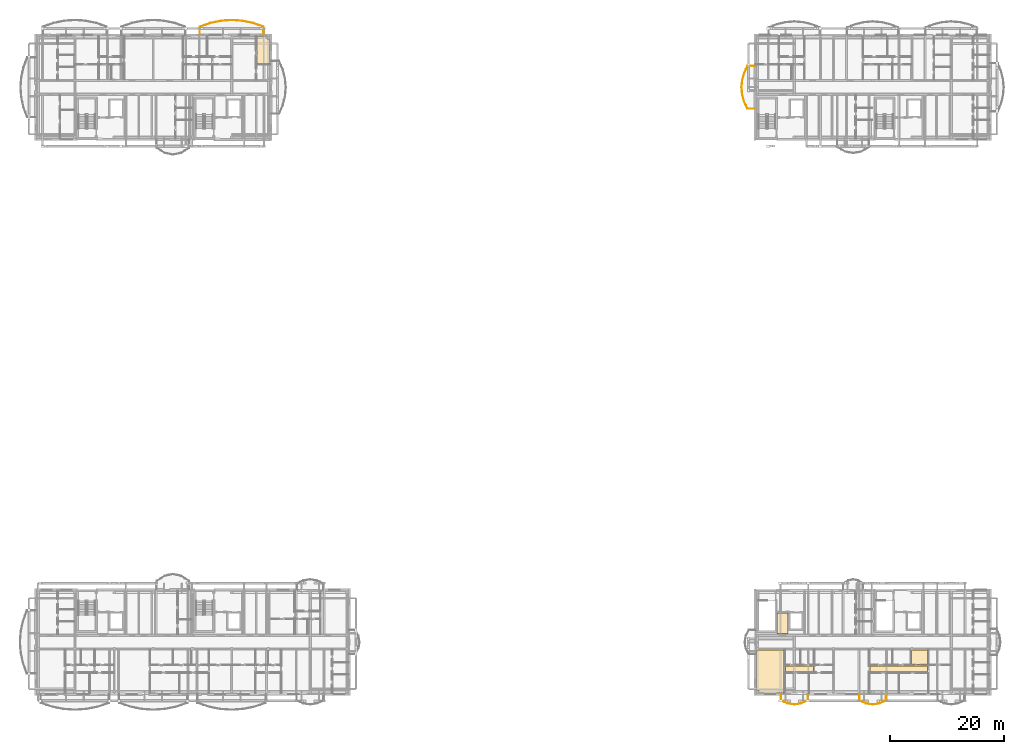
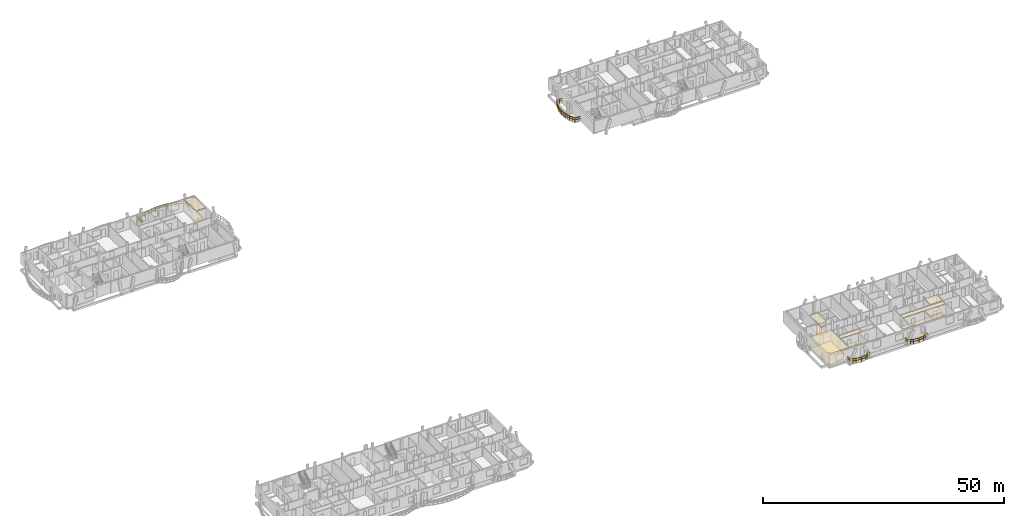
# One storey, part 38 of 41: 12 coverings, 4 railings.
"""IFC4 building model written with IfcOpenShell, lengths in metres."""

from ifc_helpers import new_model, si_unit, direction, frame, origin, origin_2d, place, context, subcontext, project, spatial, polyline, rectangle, outline, extrude, material, layer, layer_set, type_object, element, save


model = new_model("IFC4")

# Units and contexts
model_context = context("Model", 3, precision=1e-05, world=origin(), true_north=direction((0.0, 1.0)))
body_context = subcontext(model_context, "Body", "Model", "MODEL_VIEW")
ifc_project = project(units=[si_unit("LENGTHUNIT", "METRE"), si_unit("AREAUNIT", "SQUARE_METRE"), si_unit("VOLUMEUNIT", "CUBIC_METRE"), si_unit("PLANEANGLEUNIT", "RADIAN"), si_unit("MASSUNIT", "GRAM", prefix="KILO")], contexts=[model_context])

# Site, building, storey
site_placement = place(None, origin())
site = spatial("IfcSite", under=ifc_project, at=site_placement, CompositionType="ELEMENT")
building_placement = place(site_placement, origin())
building = spatial("IfcBuilding", under=site, at=building_placement, Name="Zavelmont Quarter", CompositionType="ELEMENT")
storey_placement = place(building_placement, frame((0.0, 0.0, 27.199951171875)))
storey = spatial("IfcBuildingStorey", under=building, at=storey_placement, Name="L08", CompositionType="ELEMENT", Elevation=27.199951171875)

# Coverings
ifc_material_1 = material(Name="Perforated acoustic gypsum board")
ifc_layer_1 = layer(ifc_material_1, 0.02490234375)
ifc_layer_set_1 = layer_set([ifc_layer_1], Name="Perforated acoustic gypsum board")
covering_type_1 = type_object("IfcCoveringType", Name="CV-CL01", PredefinedType="CEILING", material=ifc_layer_set_1)
covering_1_placement = place(storey_placement, frame((0.0, 0.0, 2.885009765625)))
element("IfcCovering", 1, at=covering_1_placement, inside=storey, type_object=covering_type_1, Name="L08 Lobby Vestibule acoustic ceiling", PredefinedType="CEILING", context=body_context, shape_type="SweptSolid", body=[
    extrude(outline(polyline([(130.47998046875, 14.320068359375), (132.3701171875, 14.320068359375), (132.3701171875, 10.679931640625), (130.47998046875, 10.679931640625), (130.47998046875, 14.320068359375)])), origin(), (0.0, 0.0, 1.0), 0.025146484375),
])
covering_2_placement = place(storey_placement, frame((0.0, 0.0, 2.93505859375)))
element("IfcCovering", 2, at=covering_2_placement, inside=storey, type_object=covering_type_1, Name="L08 Reading Alcove acoustic ceiling", PredefinedType="CEILING", context=body_context, shape_type="SweptSolid", body=[
    extrude(outline(polyline([(38.929931640625, 115.719970703125), (40.719970703125, 115.719970703125), (40.719970703125, 115.320068359375), (41.169921875, 115.320068359375), (41.169921875, 110.929931640625), (38.929931640625, 110.929931640625), (38.929931640625, 115.719970703125)])), origin(), (0.0, 0.0, 1.0), 0.02490234375),
])
covering_3_placement = place(storey_placement, frame((0.0, 0.0, 2.885009765625)))
element("IfcCovering", 3, at=covering_3_placement, inside=storey, type_object=covering_type_1, Name="L08 Living Dining acoustic ceiling", PredefinedType="CEILING", context=body_context, shape_type="SweptSolid", body=[
    extrude(outline(polyline([(126.830078125, 7.760009765625), (127.280029296875, 7.760009765625), (127.280029296875, 7.77001953125), (131.669921875, 7.77001953125), (131.669921875, 0.280029296875), (127.280029296875, 0.280029296875), (127.280029296875, 0.679931640625), (126.830078125, 0.679931640625), (126.830078125, 7.760009765625)])), origin(), (0.0, 0.0, 1.0), 0.025146484375),
])
covering_4_placement = place(storey_placement, frame((0.0, 0.0, 2.885009765625)))
element("IfcCovering", 4, at=covering_4_placement, inside=storey, type_object=covering_type_1, Name="L08 Utility Laundry acoustic ceiling", PredefinedType="CEILING", context=body_context, shape_type="SweptSolid", body=[
    extrude(outline(polyline([(154.1298828125, 7.760009765625), (154.43994140625, 7.760009765625), (154.43994140625, 7.77001953125), (156.969970703125, 7.77001953125), (156.969970703125, 5.280029296875), (154.1298828125, 5.280029296875), (154.1298828125, 7.760009765625)])), origin(), (0.0, 0.0, 1.0), 0.025146484375),
])
ifc_material_2 = material(Name="Slatted European ash acoustic baffle ceiling")
ifc_layer_2 = layer(ifc_material_2, 0.0400390625)
ifc_layer_set_2 = layer_set([ifc_layer_2], Name="Slatted European ash acoustic baffle ceiling")
covering_type_2 = type_object("IfcCoveringType", Name="CV-CL02", PredefinedType="CEILING", material=ifc_layer_set_2)
covering_5_placement = place(storey_placement, frame((0.0, 0.0, 2.8701171875)))
element("IfcCovering", 5, at=covering_5_placement, inside=storey, type_object=covering_type_2, Name="L08 Apartment Hall acoustic ceiling", PredefinedType="CEILING", context=body_context, shape_type="SweptSolid", body=[
    extrude(outline(polyline([(131.929931640625, 5.02001953125), (136.8701171875, 5.02001953125), (136.8701171875, 3.929931640625), (131.929931640625, 3.929931640625), (131.929931640625, 5.02001953125)])), origin(), (0.0, 0.0, 1.0), 0.0400390625),
])
covering_6_placement = place(storey_placement, frame((0.0, 0.0, 2.8701171875)))
element("IfcCovering", 6, at=covering_6_placement, inside=storey, type_object=covering_type_2, Name="L08 Apartment Hall acoustic ceiling", PredefinedType="CEILING", context=body_context, shape_type="SweptSolid", body=[
    extrude(outline(polyline([(146.830078125, 5.02001953125), (156.969970703125, 5.02001953125), (156.969970703125, 3.929931640625), (146.830078125, 3.929931640625), (146.830078125, 5.02001953125)])), origin(), (0.0, 0.0, 1.0), 0.0400390625),
])
ifc_material_3 = material(Name="Engineered European oak parquet")
ifc_layer_3 = layer(ifc_material_3, 0.02197265625)
ifc_layer_set_3 = layer_set([ifc_layer_3], Name="Engineered European oak parquet")
covering_type_3 = type_object("IfcCoveringType", Name="CV-FL01", PredefinedType="FLOORING", material=ifc_layer_set_3)
covering_7_placement = place(storey_placement, origin())
element("IfcCovering", 7, at=covering_7_placement, inside=storey, type_object=covering_type_3, Name="L08 Lobby Vestibule floor finish", PredefinedType="FLOORING", context=body_context, shape_type="SweptSolid", body=[
    extrude(outline(polyline([(130.47998046875, 14.320068359375), (132.3701171875, 14.320068359375), (132.3701171875, 10.679931640625), (130.47998046875, 10.679931640625), (130.47998046875, 14.320068359375)])), origin(), (0.0, 0.0, 1.0), 0.02197265625),
])
covering_8_placement = place(storey_placement, origin())
element("IfcCovering", 8, at=covering_8_placement, inside=storey, type_object=covering_type_3, Name="L08 Reading Alcove floor finish", PredefinedType="FLOORING", context=body_context, shape_type="SweptSolid", body=[
    extrude(outline(polyline([(38.929931640625, 115.719970703125), (40.719970703125, 115.719970703125), (40.719970703125, 115.320068359375), (41.169921875, 115.320068359375), (41.169921875, 110.929931640625), (38.929931640625, 110.929931640625), (38.929931640625, 115.719970703125)])), origin(), (0.0, 0.0, 1.0), 0.02197265625),
])
covering_9_placement = place(storey_placement, origin())
element("IfcCovering", 9, at=covering_9_placement, inside=storey, type_object=covering_type_3, Name="L08 Living Dining floor finish", PredefinedType="FLOORING", context=body_context, shape_type="SweptSolid", body=[
    extrude(outline(polyline([(126.830078125, 7.760009765625), (127.280029296875, 7.760009765625), (127.280029296875, 7.77001953125), (131.669921875, 7.77001953125), (131.669921875, 0.280029296875), (127.280029296875, 0.280029296875), (127.280029296875, 0.679931640625), (126.830078125, 0.679931640625), (126.830078125, 7.760009765625)])), origin(), (0.0, 0.0, 1.0), 0.02197265625),
])
covering_10_placement = place(storey_placement, origin())
element("IfcCovering", 10, at=covering_10_placement, inside=storey, type_object=covering_type_3, Name="L08 Utility Laundry floor finish", PredefinedType="FLOORING", context=body_context, shape_type="SweptSolid", body=[
    extrude(outline(polyline([(154.1298828125, 7.760009765625), (154.43994140625, 7.760009765625), (154.43994140625, 7.77001953125), (156.969970703125, 7.77001953125), (156.969970703125, 5.280029296875), (154.1298828125, 5.280029296875), (154.1298828125, 7.760009765625)])), origin(), (0.0, 0.0, 1.0), 0.02197265625),
])
ifc_material_4 = material(Name="Honed Belgian bluestone tile", Category="masonry")
ifc_layer_4 = layer(ifc_material_4, 0.030029296875)
ifc_layer_set_4 = layer_set([ifc_layer_4], Name="Honed Belgian bluestone tile")
covering_type_4 = type_object("IfcCoveringType", Name="CV-FL02", PredefinedType="FLOORING", material=ifc_layer_set_4)
covering_11_placement = place(storey_placement, origin())
element("IfcCovering", 11, at=covering_11_placement, inside=storey, type_object=covering_type_4, Name="L08 Apartment Hall floor finish", PredefinedType="FLOORING", context=body_context, shape_type="SweptSolid", body=[
    extrude(outline(polyline([(131.929931640625, 5.02001953125), (136.8701171875, 5.02001953125), (136.8701171875, 3.929931640625), (131.929931640625, 3.929931640625), (131.929931640625, 5.02001953125)])), origin(), (0.0, 0.0, 1.0), 0.030029296875),
])
covering_12_placement = place(storey_placement, origin())
element("IfcCovering", 12, at=covering_12_placement, inside=storey, type_object=covering_type_4, Name="L08 Apartment Hall floor finish", PredefinedType="FLOORING", context=body_context, shape_type="SweptSolid", body=[
    extrude(outline(polyline([(146.830078125, 5.02001953125), (156.969970703125, 5.02001953125), (156.969970703125, 3.929931640625), (146.830078125, 3.929931640625), (146.830078125, 5.02001953125)])), origin(), (0.0, 0.0, 1.0), 0.030029296875),
])

# Railings
ifc_material_5 = material(Name="Powder-coated steel and tempered double safety glass", Category="steel")
railing_type = type_object("IfcRailingType", Name="RL-BAL1", PredefinedType="BALUSTRADE", material=ifc_material_5)
railing_1_placement = place(storey_placement, frame((40.109619140625, 116.02001953125, 0.0)))
element("IfcRailing", 13, at=railing_1_placement, inside=storey, type_object=railing_type, Name="L08 Block B curved balcony guard RL-BAL1", PredefinedType="BALUSTRADE", context=body_context, shape_type="SweptSolid", body=[
    extrude(rectangle(XDim=0.048095703125, YDim=0.048095703125, at=origin_2d()), frame((0.0, 0.0, 1.076171875), z_axis=(0.0, 1.0, 0.0), x_axis=(-1.0, 0.0, 0.0)), (0.0, 0.0, 1.0), 1.456298828125),
    extrude(rectangle(XDim=0.048095703125, YDim=0.048095703125, at=origin_2d()), frame((0.0, 0.0, 0.550048828125), z_axis=(0.0, 1.0, 0.0), x_axis=(-1.0, 0.0, 0.0)), (0.0, 0.0, 1.0), 1.456298828125),
    extrude(rectangle(XDim=0.048095703125, YDim=0.048095703125, at=origin_2d()), frame((0.0, 1.456298828125, 1.076171875), z_axis=(-0.945450352858, 0.325766220289, 0.0), x_axis=(-0.325766220289, -0.945450352858, 0.0)), (0.0, 0.0, 1.0), 1.977783203125),
    extrude(rectangle(XDim=0.048095703125, YDim=0.048095703125, at=origin_2d()), frame((0.0, 1.456298828125, 0.550048828125), z_axis=(-0.945450352858, 0.325766220289, 0.0), x_axis=(-0.325766220289, -0.945450352858, 0.0)), (0.0, 0.0, 1.0), 1.977783203125),
    extrude(rectangle(XDim=0.048095703125, YDim=0.048095703125, at=origin_2d()), frame((-1.869873046875, 2.1005859375, 1.076171875), z_axis=(-0.979301513736, 0.202406880303, 0.0), x_axis=(-0.202406880303, -0.979301513736, 0.0)), (0.0, 0.0, 1.0), 1.909423828125),
    extrude(rectangle(XDim=0.048095703125, YDim=0.048095703125, at=origin_2d()), frame((-1.869873046875, 2.1005859375, 0.550048828125), z_axis=(-0.979301513736, 0.202406880303, 0.0), x_axis=(-0.202406880303, -0.979301513736, 0.0)), (0.0, 0.0, 1.0), 1.909423828125),
    extrude(rectangle(XDim=0.048095703125, YDim=0.048095703125, at=origin_2d()), frame((-3.73974609375, 2.487060546875, 1.076171875), z_axis=(-0.997632177855, 0.068775269605, 0.0), x_axis=(-0.068775269605, -0.997632177855, 0.0)), (0.0, 0.0, 1.0), 1.874267578125),
    extrude(rectangle(XDim=0.048095703125, YDim=0.048095703125, at=origin_2d()), frame((-3.73974609375, 2.487060546875, 0.550048828125), z_axis=(-0.997632177855, 0.068775269605, 0.0), x_axis=(-0.068775269605, -0.997632177855, 0.0)), (0.0, 0.0, 1.0), 1.874267578125),
    extrude(rectangle(XDim=0.048095703125, YDim=0.048095703125, at=origin_2d()), frame((-5.609619140625, 2.615966796875, 1.076171875), z_axis=(-0.997632177855, -0.068775269605, 0.0), x_axis=(0.068775269605, -0.997632177855, 0.0)), (0.0, 0.0, 1.0), 1.874267578125),
    extrude(rectangle(XDim=0.048095703125, YDim=0.048095703125, at=origin_2d()), frame((-5.609619140625, 2.615966796875, 0.550048828125), z_axis=(-0.997632177855, -0.068775269605, 0.0), x_axis=(0.068775269605, -0.997632177855, 0.0)), (0.0, 0.0, 1.0), 1.874267578125),
    extrude(rectangle(XDim=0.048095703125, YDim=0.048095703125, at=origin_2d()), frame((-7.4794921875, 2.487060546875, 1.076171875), z_axis=(-0.979301513736, -0.202406880303, 0.0), x_axis=(0.202406880303, -0.979301513736, 0.0)), (0.0, 0.0, 1.0), 1.909423828125),
    extrude(rectangle(XDim=0.048095703125, YDim=0.048095703125, at=origin_2d()), frame((-7.4794921875, 2.487060546875, 0.550048828125), z_axis=(-0.979301513736, -0.202406880303, 0.0), x_axis=(0.202406880303, -0.979301513736, 0.0)), (0.0, 0.0, 1.0), 1.909423828125),
    extrude(rectangle(XDim=0.048095703125, YDim=0.048095703125, at=origin_2d()), frame((-9.349365234375, 2.1005859375, 1.076171875), z_axis=(-0.945450352858, -0.325766220289, 0.0), x_axis=(0.325766220289, -0.945450352858, 0.0)), (0.0, 0.0, 1.0), 1.977783203125),
    extrude(rectangle(XDim=0.048095703125, YDim=0.048095703125, at=origin_2d()), frame((-9.349365234375, 2.1005859375, 0.550048828125), z_axis=(-0.945450352858, -0.325766220289, 0.0), x_axis=(0.325766220289, -0.945450352858, 0.0)), (0.0, 0.0, 1.0), 1.977783203125),
    extrude(rectangle(XDim=0.048095703125, YDim=0.048095703125, at=origin_2d()), frame((-11.21923828125, 1.456298828125, 1.076171875), z_axis=(0.0, -1.0, 0.0), x_axis=(1.0, 0.0, 0.0)), (0.0, 0.0, 1.0), 1.456298828125),
    extrude(rectangle(XDim=0.048095703125, YDim=0.048095703125, at=origin_2d()), frame((-11.21923828125, 1.456298828125, 0.550048828125), z_axis=(0.0, -1.0, 0.0), x_axis=(1.0, 0.0, 0.0)), (0.0, 0.0, 1.0), 1.456298828125),
    extrude(rectangle(XDim=0.0419921875, YDim=0.0419921875, at=origin_2d()), origin(), (0.0, 0.0, 1.0), 1.052001953125),
    extrude(rectangle(XDim=0.0419921875, YDim=0.0419921875, at=origin_2d()), frame((0.0, 0.72802734375, 0.0)), (0.0, 0.0, 1.0), 1.052001953125),
    extrude(rectangle(XDim=0.0419921875, YDim=0.0419921875, at=origin_2d()), frame((0.0, 1.456298828125, 0.0)), (0.0, 0.0, 1.0), 1.052001953125),
    extrude(rectangle(XDim=0.0419921875, YDim=0.0419921875, at=origin_2d()), frame((-0.93505859375, 1.7783203125, 0.0)), (0.0, 0.0, 1.0), 1.052001953125),
    extrude(rectangle(XDim=0.0419921875, YDim=0.0419921875, at=origin_2d()), frame((-1.869873046875, 2.1005859375, 0.0)), (0.0, 0.0, 1.0), 1.052001953125),
    extrude(rectangle(XDim=0.0419921875, YDim=0.0419921875, at=origin_2d()), frame((-2.8046875, 2.2939453125, 0.0)), (0.0, 0.0, 1.0), 1.052001953125),
    extrude(rectangle(XDim=0.0419921875, YDim=0.0419921875, at=origin_2d()), frame((-3.73974609375, 2.487060546875, 0.0)), (0.0, 0.0, 1.0), 1.052001953125),
    extrude(rectangle(XDim=0.0419921875, YDim=0.0419921875, at=origin_2d()), frame((-4.6748046875, 2.551513671875, 0.0)), (0.0, 0.0, 1.0), 1.052001953125),
    extrude(rectangle(XDim=0.0419921875, YDim=0.0419921875, at=origin_2d()), frame((-5.609619140625, 2.615966796875, 0.0)), (0.0, 0.0, 1.0), 1.052001953125),
    extrude(rectangle(XDim=0.0419921875, YDim=0.0419921875, at=origin_2d()), frame((-6.54443359375, 2.551513671875, 0.0)), (0.0, 0.0, 1.0), 1.052001953125),
    extrude(rectangle(XDim=0.0419921875, YDim=0.0419921875, at=origin_2d()), frame((-7.4794921875, 2.487060546875, 0.0)), (0.0, 0.0, 1.0), 1.052001953125),
    extrude(rectangle(XDim=0.0419921875, YDim=0.0419921875, at=origin_2d()), frame((-8.41455078125, 2.2939453125, 0.0)), (0.0, 0.0, 1.0), 1.052001953125),
    extrude(rectangle(XDim=0.0419921875, YDim=0.0419921875, at=origin_2d()), frame((-9.349365234375, 2.1005859375, 0.0)), (0.0, 0.0, 1.0), 1.052001953125),
    extrude(rectangle(XDim=0.0419921875, YDim=0.0419921875, at=origin_2d()), frame((-10.2841796875, 1.7783203125, 0.0)), (0.0, 0.0, 1.0), 1.052001953125),
    extrude(rectangle(XDim=0.0419921875, YDim=0.0419921875, at=origin_2d()), frame((-11.21923828125, 1.456298828125, 0.0)), (0.0, 0.0, 1.0), 1.052001953125),
    extrude(rectangle(XDim=0.0419921875, YDim=0.0419921875, at=origin_2d()), frame((-11.21923828125, 0.72802734375, 0.0)), (0.0, 0.0, 1.0), 1.052001953125),
    extrude(rectangle(XDim=0.0419921875, YDim=0.0419921875, at=origin_2d()), frame((-11.21923828125, 0.0, 0.0)), (0.0, 0.0, 1.0), 1.052001953125),
])
railing_2_placement = place(storey_placement, frame((126.580078125, 110.572265625, 0.0)))
element("IfcRailing", 14, at=railing_2_placement, inside=storey, type_object=railing_type, Name="L08 Block C curved balcony guard RL-BAL1", PredefinedType="BALUSTRADE", context=body_context, shape_type="SweptSolid", body=[
    extrude(rectangle(XDim=0.048095703125, YDim=0.048095703125, at=origin_2d()), frame((0.0, 0.0, 1.076171875), z_axis=(-1.0, 0.0, 0.0), x_axis=(0.0, -1.0, 0.0)), (0.0, 0.0, 1.0), 1.30908203125),
    extrude(rectangle(XDim=0.048095703125, YDim=0.048095703125, at=origin_2d()), frame((0.0, 0.0, 0.550048828125), z_axis=(-1.0, 0.0, 0.0), x_axis=(0.0, -1.0, 0.0)), (0.0, 0.0, 1.0), 1.30908203125),
    extrude(rectangle(XDim=0.048095703125, YDim=0.048095703125, at=origin_2d()), frame((-1.30908203125, 0.0, 1.076171875), z_axis=(-0.418856942475, -0.908052235139, 0.0), x_axis=(0.908052235139, -0.418856942475, 0.0)), (0.0, 0.0, 1.0), 1.385009765625),
    extrude(rectangle(XDim=0.048095703125, YDim=0.048095703125, at=origin_2d()), frame((-1.30908203125, 0.0, 0.550048828125), z_axis=(-0.418856942475, -0.908052235139, 0.0), x_axis=(0.908052235139, -0.418856942475, 0.0)), (0.0, 0.0, 1.0), 1.385009765625),
    extrude(rectangle(XDim=0.048095703125, YDim=0.048095703125, at=origin_2d()), frame((-1.88916015625, -1.257568359375, 1.076171875), z_axis=(-0.266678522957, -0.963785539108, 0.0), x_axis=(0.963785539108, -0.266678522957, 0.0)), (0.0, 0.0, 1.0), 1.3046875),
    extrude(rectangle(XDim=0.048095703125, YDim=0.048095703125, at=origin_2d()), frame((-1.88916015625, -1.257568359375, 0.550048828125), z_axis=(-0.266678522957, -0.963785539108, 0.0), x_axis=(0.963785539108, -0.266678522957, 0.0)), (0.0, 0.0, 1.0), 1.3046875),
    extrude(rectangle(XDim=0.048095703125, YDim=0.048095703125, at=origin_2d()), frame((-2.237060546875, -2.514892578125, 1.076171875), z_axis=(-0.091843185319, -0.995773482932, 0.0), x_axis=(0.995773482932, -0.091843185319, 0.0)), (0.0, 0.0, 1.0), 1.2626953125),
    extrude(rectangle(XDim=0.048095703125, YDim=0.048095703125, at=origin_2d()), frame((-2.237060546875, -2.514892578125, 0.550048828125), z_axis=(-0.091843185319, -0.995773482932, 0.0), x_axis=(0.995773482932, -0.091843185319, 0.0)), (0.0, 0.0, 1.0), 1.2626953125),
    extrude(rectangle(XDim=0.048095703125, YDim=0.048095703125, at=origin_2d()), frame((-2.35302734375, -3.772216796875, 1.076171875), z_axis=(0.09182550551, -0.995775113436, 0.0), x_axis=(0.995775113436, 0.09182550551, 0.0)), (0.0, 0.0, 1.0), 1.262939453125),
    extrude(rectangle(XDim=0.048095703125, YDim=0.048095703125, at=origin_2d()), frame((-2.35302734375, -3.772216796875, 0.550048828125), z_axis=(0.09182550551, -0.995775113436, 0.0), x_axis=(0.995775113436, 0.09182550551, 0.0)), (0.0, 0.0, 1.0), 1.262939453125),
    extrude(rectangle(XDim=0.048095703125, YDim=0.048095703125, at=origin_2d()), frame((-2.237060546875, -5.02978515625, 1.076171875), z_axis=(0.266678522957, -0.963785539108, 0.0), x_axis=(0.963785539108, 0.266678522957, 0.0)), (0.0, 0.0, 1.0), 1.3046875),
    extrude(rectangle(XDim=0.048095703125, YDim=0.048095703125, at=origin_2d()), frame((-2.237060546875, -5.02978515625, 0.550048828125), z_axis=(0.266678522957, -0.963785539108, 0.0), x_axis=(0.963785539108, 0.266678522957, 0.0)), (0.0, 0.0, 1.0), 1.3046875),
    extrude(rectangle(XDim=0.048095703125, YDim=0.048095703125, at=origin_2d()), frame((-1.88916015625, -6.287109375, 1.076171875), z_axis=(0.418924001612, -0.908021299791, 0.0), x_axis=(0.908021299791, 0.418924001612, 0.0)), (0.0, 0.0, 1.0), 1.384765625),
    extrude(rectangle(XDim=0.048095703125, YDim=0.048095703125, at=origin_2d()), frame((-1.88916015625, -6.287109375, 0.550048828125), z_axis=(0.418924001612, -0.908021299791, 0.0), x_axis=(0.908021299791, 0.418924001612, 0.0)), (0.0, 0.0, 1.0), 1.384765625),
    extrude(rectangle(XDim=0.048095703125, YDim=0.048095703125, at=origin_2d()), frame((-1.30908203125, -7.54443359375, 1.076171875), z_axis=(1.0, 0.0, 0.0), x_axis=(0.0, 1.0, 0.0)), (0.0, 0.0, 1.0), 1.30908203125),
    extrude(rectangle(XDim=0.048095703125, YDim=0.048095703125, at=origin_2d()), frame((-1.30908203125, -7.54443359375, 0.550048828125), z_axis=(1.0, 0.0, 0.0), x_axis=(0.0, 1.0, 0.0)), (0.0, 0.0, 1.0), 1.30908203125),
    extrude(rectangle(XDim=0.0419921875, YDim=0.0419921875, at=origin_2d()), origin(), (0.0, 0.0, 1.0), 1.052001953125),
    extrude(rectangle(XDim=0.0419921875, YDim=0.0419921875, at=origin_2d()), frame((-0.654541015625, 0.0, 0.0)), (0.0, 0.0, 1.0), 1.052001953125),
    extrude(rectangle(XDim=0.0419921875, YDim=0.0419921875, at=origin_2d()), frame((-1.30908203125, 0.0, 0.0)), (0.0, 0.0, 1.0), 1.052001953125),
    extrude(rectangle(XDim=0.0419921875, YDim=0.0419921875, at=origin_2d()), frame((-1.59912109375, -0.62890625, 0.0)), (0.0, 0.0, 1.0), 1.052001953125),
    extrude(rectangle(XDim=0.0419921875, YDim=0.0419921875, at=origin_2d()), frame((-1.88916015625, -1.257568359375, 0.0)), (0.0, 0.0, 1.0), 1.052001953125),
    extrude(rectangle(XDim=0.0419921875, YDim=0.0419921875, at=origin_2d()), frame((-2.06298828125, -1.88623046875, 0.0)), (0.0, 0.0, 1.0), 1.052001953125),
    extrude(rectangle(XDim=0.0419921875, YDim=0.0419921875, at=origin_2d()), frame((-2.237060546875, -2.514892578125, 0.0)), (0.0, 0.0, 1.0), 1.052001953125),
    extrude(rectangle(XDim=0.0419921875, YDim=0.0419921875, at=origin_2d()), frame((-2.294921875, -3.1435546875, 0.0)), (0.0, 0.0, 1.0), 1.052001953125),
    extrude(rectangle(XDim=0.0419921875, YDim=0.0419921875, at=origin_2d()), frame((-2.35302734375, -3.772216796875, 0.0)), (0.0, 0.0, 1.0), 1.052001953125),
    extrude(rectangle(XDim=0.0419921875, YDim=0.0419921875, at=origin_2d()), frame((-2.294921875, -4.40087890625, 0.0)), (0.0, 0.0, 1.0), 1.052001953125),
    extrude(rectangle(XDim=0.0419921875, YDim=0.0419921875, at=origin_2d()), frame((-2.237060546875, -5.02978515625, 0.0)), (0.0, 0.0, 1.0), 1.052001953125),
    extrude(rectangle(XDim=0.0419921875, YDim=0.0419921875, at=origin_2d()), frame((-2.06298828125, -5.658447265625, 0.0)), (0.0, 0.0, 1.0), 1.052001953125),
    extrude(rectangle(XDim=0.0419921875, YDim=0.0419921875, at=origin_2d()), frame((-1.88916015625, -6.287109375, 0.0)), (0.0, 0.0, 1.0), 1.052001953125),
    extrude(rectangle(XDim=0.0419921875, YDim=0.0419921875, at=origin_2d()), frame((-1.59912109375, -6.915771484375, 0.0)), (0.0, 0.0, 1.0), 1.052001953125),
    extrude(rectangle(XDim=0.0419921875, YDim=0.0419921875, at=origin_2d()), frame((-1.30908203125, -7.54443359375, 0.0)), (0.0, 0.0, 1.0), 1.052001953125),
    extrude(rectangle(XDim=0.0419921875, YDim=0.0419921875, at=origin_2d()), frame((-0.654541015625, -7.54443359375, 0.0)), (0.0, 0.0, 1.0), 1.052001953125),
    extrude(rectangle(XDim=0.0419921875, YDim=0.0419921875, at=origin_2d()), frame((0.0, -7.54443359375, 0.0)), (0.0, 0.0, 1.0), 1.052001953125),
])
railing_3_placement = place(storey_placement, frame((131.147216796875, -0.02001953125, 0.0)))
element("IfcRailing", 15, at=railing_3_placement, inside=storey, type_object=railing_type, Name="L08 Block D curved balcony guard RL-BAL1", PredefinedType="BALUSTRADE", context=body_context, shape_type="SweptSolid", body=[
    extrude(rectangle(XDim=0.048095703125, YDim=0.048095703125, at=origin_2d()), frame((0.0, 0.0, 1.076171875), z_axis=(0.0, -1.0, 0.0), x_axis=(1.0, 0.0, 0.0)), (0.0, 0.0, 1.0), 1.080078125),
    extrude(rectangle(XDim=0.048095703125, YDim=0.048095703125, at=origin_2d()), frame((0.0, 0.0, 0.550048828125), z_axis=(0.0, -1.0, 0.0), x_axis=(1.0, 0.0, 0.0)), (0.0, 0.0, 1.0), 1.080078125),
    extrude(rectangle(XDim=0.048095703125, YDim=0.048095703125, at=origin_2d()), frame((0.0, -1.080078125, 1.076171875), z_axis=(0.912141000851, -0.409876560158, 0.0), x_axis=(0.409876560158, 0.912141000851, 0.0)), (0.0, 0.0, 1.0), 1.28955078125),
    extrude(rectangle(XDim=0.048095703125, YDim=0.048095703125, at=origin_2d()), frame((0.0, -1.080078125, 0.550048828125), z_axis=(0.912141000851, -0.409876560158, 0.0), x_axis=(0.409876560158, 0.912141000851, 0.0)), (0.0, 0.0, 1.0), 1.28955078125),
    extrude(rectangle(XDim=0.048095703125, YDim=0.048095703125, at=origin_2d()), frame((1.17626953125, -1.608642578125, 1.076171875), z_axis=(0.988961928108, -0.148169851026, 0.0), x_axis=(0.148169851026, 0.988961928108, 0.0)), (0.0, 0.0, 1.0), 1.189697265625),
    extrude(rectangle(XDim=0.048095703125, YDim=0.048095703125, at=origin_2d()), frame((1.17626953125, -1.608642578125, 0.550048828125), z_axis=(0.988961928108, -0.148169851026, 0.0), x_axis=(0.148169851026, 0.988961928108, 0.0)), (0.0, 0.0, 1.0), 1.189697265625),
    extrude(rectangle(XDim=0.048095703125, YDim=0.048095703125, at=origin_2d()), frame((2.352783203125, -1.784912109375, 1.076171875), z_axis=(0.988961928108, 0.148169851026, 0.0), x_axis=(-0.148169851026, 0.988961928108, 0.0)), (0.0, 0.0, 1.0), 1.189697265625),
    extrude(rectangle(XDim=0.048095703125, YDim=0.048095703125, at=origin_2d()), frame((2.352783203125, -1.784912109375, 0.550048828125), z_axis=(0.988961928108, 0.148169851026, 0.0), x_axis=(-0.148169851026, 0.988961928108, 0.0)), (0.0, 0.0, 1.0), 1.189697265625),
    extrude(rectangle(XDim=0.048095703125, YDim=0.048095703125, at=origin_2d()), frame((3.529296875, -1.608642578125, 1.076171875), z_axis=(0.912141000851, 0.409876560158, 0.0), x_axis=(-0.409876560158, 0.912141000851, 0.0)), (0.0, 0.0, 1.0), 1.28955078125),
    extrude(rectangle(XDim=0.048095703125, YDim=0.048095703125, at=origin_2d()), frame((3.529296875, -1.608642578125, 0.550048828125), z_axis=(0.912141000851, 0.409876560158, 0.0), x_axis=(-0.409876560158, 0.912141000851, 0.0)), (0.0, 0.0, 1.0), 1.28955078125),
    extrude(rectangle(XDim=0.048095703125, YDim=0.048095703125, at=origin_2d()), frame((4.70556640625, -1.080078125, 1.076171875), z_axis=(0.0, 1.0, 0.0), x_axis=(-1.0, 0.0, 0.0)), (0.0, 0.0, 1.0), 1.080078125),
    extrude(rectangle(XDim=0.048095703125, YDim=0.048095703125, at=origin_2d()), frame((4.70556640625, -1.080078125, 0.550048828125), z_axis=(0.0, 1.0, 0.0), x_axis=(-1.0, 0.0, 0.0)), (0.0, 0.0, 1.0), 1.080078125),
    extrude(rectangle(XDim=0.0419921875, YDim=0.0419921875, at=origin_2d()), origin(), (0.0, 0.0, 1.0), 1.052001953125),
    extrude(rectangle(XDim=0.0419921875, YDim=0.0419921875, at=origin_2d()), frame((0.0, -1.080078125, 0.0)), (0.0, 0.0, 1.0), 1.052001953125),
    extrude(rectangle(XDim=0.0419921875, YDim=0.0419921875, at=origin_2d()), frame((0.588134765625, -1.34423828125, 0.0)), (0.0, 0.0, 1.0), 1.052001953125),
    extrude(rectangle(XDim=0.0419921875, YDim=0.0419921875, at=origin_2d()), frame((1.17626953125, -1.608642578125, 0.0)), (0.0, 0.0, 1.0), 1.052001953125),
    extrude(rectangle(XDim=0.0419921875, YDim=0.0419921875, at=origin_2d()), frame((2.352783203125, -1.784912109375, 0.0)), (0.0, 0.0, 1.0), 1.052001953125),
    extrude(rectangle(XDim=0.0419921875, YDim=0.0419921875, at=origin_2d()), frame((3.529296875, -1.608642578125, 0.0)), (0.0, 0.0, 1.0), 1.052001953125),
    extrude(rectangle(XDim=0.0419921875, YDim=0.0419921875, at=origin_2d()), frame((4.117431640625, -1.34423828125, 0.0)), (0.0, 0.0, 1.0), 1.052001953125),
    extrude(rectangle(XDim=0.0419921875, YDim=0.0419921875, at=origin_2d()), frame((4.70556640625, -1.080078125, 0.0)), (0.0, 0.0, 1.0), 1.052001953125),
    extrude(rectangle(XDim=0.0419921875, YDim=0.0419921875, at=origin_2d()), frame((4.70556640625, 0.0, 0.0)), (0.0, 0.0, 1.0), 1.052001953125),
])
railing_4_placement = place(storey_placement, frame((144.947265625, -0.02001953125, 0.0)))
element("IfcRailing", 16, at=railing_4_placement, inside=storey, type_object=railing_type, Name="L08 Block D curved balcony guard RL-BAL1", PredefinedType="BALUSTRADE", context=body_context, shape_type="SweptSolid", body=[
    extrude(rectangle(XDim=0.048095703125, YDim=0.048095703125, at=origin_2d()), frame((0.0, 0.0, 1.076171875), z_axis=(0.0, -1.0, 0.0), x_axis=(1.0, 0.0, 0.0)), (0.0, 0.0, 1.0), 1.080078125),
    extrude(rectangle(XDim=0.048095703125, YDim=0.048095703125, at=origin_2d()), frame((0.0, 0.0, 0.550048828125), z_axis=(0.0, -1.0, 0.0), x_axis=(1.0, 0.0, 0.0)), (0.0, 0.0, 1.0), 1.080078125),
    extrude(rectangle(XDim=0.048095703125, YDim=0.048095703125, at=origin_2d()), frame((0.0, -1.080078125, 1.076171875), z_axis=(0.912141000851, -0.409876560158, 0.0), x_axis=(0.409876560158, 0.912141000851, 0.0)), (0.0, 0.0, 1.0), 1.28955078125),
    extrude(rectangle(XDim=0.048095703125, YDim=0.048095703125, at=origin_2d()), frame((0.0, -1.080078125, 0.550048828125), z_axis=(0.912141000851, -0.409876560158, 0.0), x_axis=(0.409876560158, 0.912141000851, 0.0)), (0.0, 0.0, 1.0), 1.28955078125),
    extrude(rectangle(XDim=0.048095703125, YDim=0.048095703125, at=origin_2d()), frame((1.17626953125, -1.608642578125, 1.076171875), z_axis=(0.988961928108, -0.148169851026, 0.0), x_axis=(0.148169851026, 0.988961928108, 0.0)), (0.0, 0.0, 1.0), 1.189697265625),
    extrude(rectangle(XDim=0.048095703125, YDim=0.048095703125, at=origin_2d()), frame((1.17626953125, -1.608642578125, 0.550048828125), z_axis=(0.988961928108, -0.148169851026, 0.0), x_axis=(0.148169851026, 0.988961928108, 0.0)), (0.0, 0.0, 1.0), 1.189697265625),
    extrude(rectangle(XDim=0.048095703125, YDim=0.048095703125, at=origin_2d()), frame((2.352783203125, -1.784912109375, 1.076171875), z_axis=(0.988957421243, 0.148199929045, 0.0), x_axis=(-0.148199929045, 0.988957421243, 0.0)), (0.0, 0.0, 1.0), 1.189453125),
    extrude(rectangle(XDim=0.048095703125, YDim=0.048095703125, at=origin_2d()), frame((2.352783203125, -1.784912109375, 0.550048828125), z_axis=(0.988957421243, 0.148199929045, 0.0), x_axis=(-0.148199929045, 0.988957421243, 0.0)), (0.0, 0.0, 1.0), 1.189453125),
    extrude(rectangle(XDim=0.048095703125, YDim=0.048095703125, at=origin_2d()), frame((3.529052734375, -1.608642578125, 1.076171875), z_axis=(0.912141000851, 0.409876560158, 0.0), x_axis=(-0.409876560158, 0.912141000851, 0.0)), (0.0, 0.0, 1.0), 1.28955078125),
    extrude(rectangle(XDim=0.048095703125, YDim=0.048095703125, at=origin_2d()), frame((3.529052734375, -1.608642578125, 0.550048828125), z_axis=(0.912141000851, 0.409876560158, 0.0), x_axis=(-0.409876560158, 0.912141000851, 0.0)), (0.0, 0.0, 1.0), 1.28955078125),
    extrude(rectangle(XDim=0.048095703125, YDim=0.048095703125, at=origin_2d()), frame((4.705322265625, -1.080078125, 1.076171875), z_axis=(0.0, 1.0, 0.0), x_axis=(-1.0, 0.0, 0.0)), (0.0, 0.0, 1.0), 1.080078125),
    extrude(rectangle(XDim=0.048095703125, YDim=0.048095703125, at=origin_2d()), frame((4.705322265625, -1.080078125, 0.550048828125), z_axis=(0.0, 1.0, 0.0), x_axis=(-1.0, 0.0, 0.0)), (0.0, 0.0, 1.0), 1.080078125),
    extrude(rectangle(XDim=0.0419921875, YDim=0.0419921875, at=origin_2d()), origin(), (0.0, 0.0, 1.0), 1.052001953125),
    extrude(rectangle(XDim=0.0419921875, YDim=0.0419921875, at=origin_2d()), frame((0.0, -1.080078125, 0.0)), (0.0, 0.0, 1.0), 1.052001953125),
    extrude(rectangle(XDim=0.0419921875, YDim=0.0419921875, at=origin_2d()), frame((0.588134765625, -1.34423828125, 0.0)), (0.0, 0.0, 1.0), 1.052001953125),
    extrude(rectangle(XDim=0.0419921875, YDim=0.0419921875, at=origin_2d()), frame((1.17626953125, -1.608642578125, 0.0)), (0.0, 0.0, 1.0), 1.052001953125),
    extrude(rectangle(XDim=0.0419921875, YDim=0.0419921875, at=origin_2d()), frame((2.352783203125, -1.784912109375, 0.0)), (0.0, 0.0, 1.0), 1.052001953125),
    extrude(rectangle(XDim=0.0419921875, YDim=0.0419921875, at=origin_2d()), frame((3.529052734375, -1.608642578125, 0.0)), (0.0, 0.0, 1.0), 1.052001953125),
    extrude(rectangle(XDim=0.0419921875, YDim=0.0419921875, at=origin_2d()), frame((4.1171875, -1.34423828125, 0.0)), (0.0, 0.0, 1.0), 1.052001953125),
    extrude(rectangle(XDim=0.0419921875, YDim=0.0419921875, at=origin_2d()), frame((4.705322265625, -1.080078125, 0.0)), (0.0, 0.0, 1.0), 1.052001953125),
    extrude(rectangle(XDim=0.0419921875, YDim=0.0419921875, at=origin_2d()), frame((4.705322265625, 0.0, 0.0)), (0.0, 0.0, 1.0), 1.052001953125),
])

save(model, "model.ifc")
